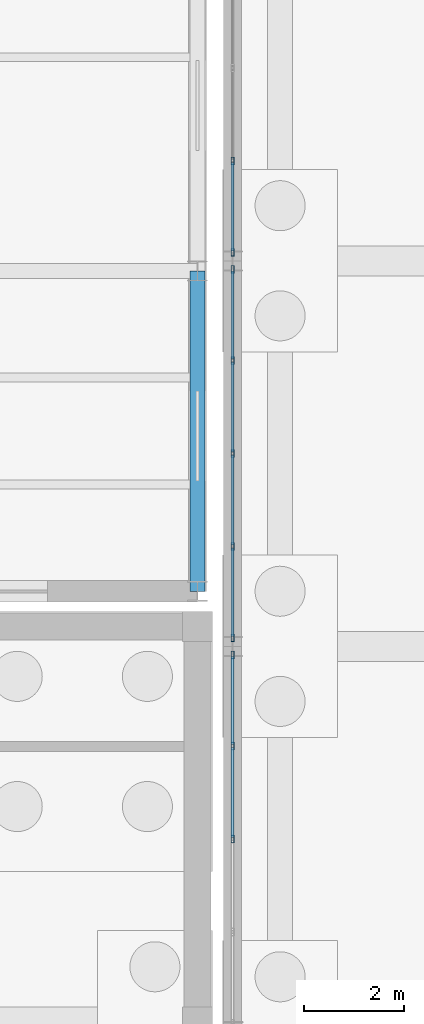
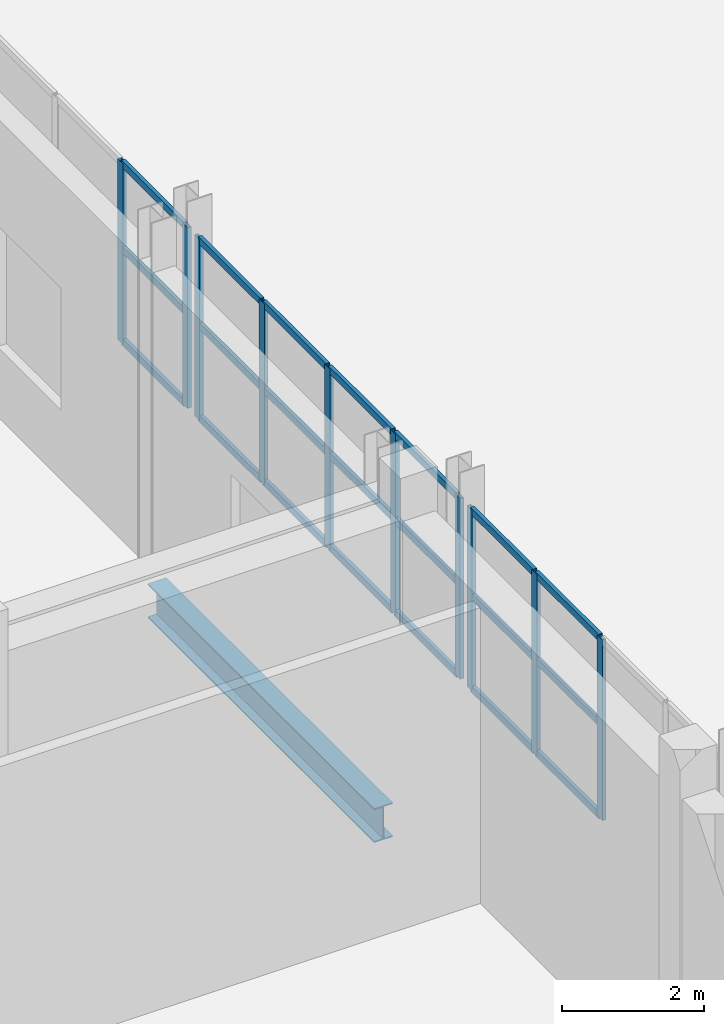
# One storey, part 75 of 139: 31 members, 1 beam, 3 elements without a shape of their own.
"""IFC4 building model written with IfcOpenShell, lengths in metres."""

from ifc_helpers import new_model, si_unit, direction, frame, origin, origin_2d, place, context, subcontext, project, spatial, hollow_rectangle, i_section, extrude, material, material_profile, profile_set, type_object, element, aggregate, save


model = new_model("IFC4")

# Units and contexts
model_context = context("Model", 3, precision=1e-05, world=origin(), true_north=direction((0.0, 1.0)))
body_context = subcontext(model_context, "Body", "Model", "MODEL_VIEW")
ifc_project = project(units=[si_unit("LENGTHUNIT", "METRE"), si_unit("AREAUNIT", "SQUARE_METRE"), si_unit("VOLUMEUNIT", "CUBIC_METRE"), si_unit("PLANEANGLEUNIT", "RADIAN"), si_unit("MASSUNIT", "GRAM", prefix="KILO")], contexts=[model_context])

# Site, building, storey
site_placement = place(None, origin())
site = spatial("IfcSite", under=ifc_project, at=site_placement, CompositionType="ELEMENT")
building_placement = place(site_placement, origin())
building = spatial("IfcBuilding", under=site, at=building_placement, Name="Kazenagashi Tramway Depot", CompositionType="ELEMENT")
storey_placement = place(building_placement, origin())
storey = spatial("IfcBuildingStorey", under=building, at=storey_placement, Name="L01", CompositionType="ELEMENT", Elevation=0.0)

# Curtain wall, members
ifc_material_1 = material(Name="Anodised Aluminium and Low-E Glazing", Category="aluminium")
curtain_wall_type = type_object("IfcCurtainWallType", Name="CW-30", PredefinedType="USERDEFINED", material=ifc_material_1)
curtain_wall_1_placement = place(storey_placement, origin())
curtain_wall_1 = element("IfcCurtainWall", 1, at=curtain_wall_1_placement, inside=storey, type_object=curtain_wall_type, Name="Industrial Glazed Screen CW-30 CW-0159", ObjectType="GLAZED SCREEN", PredefinedType="USERDEFINED")
ifc_material_2 = material(Name="Anodised Aluminium", Category="aluminium")
ifc_material_profile_1 = material_profile(ifc_material_2, hollow_rectangle(XDim=0.06, YDim=0.15, WallThickness=0.004, at=origin_2d()), Name="RHS-150x60x4")
ifc_profile_set_1 = profile_set([ifc_material_profile_1], Name="Anodised Aluminium")
member_type_1 = type_object("IfcMemberType", Name="ML-01", PredefinedType="MULLION", material=ifc_profile_set_1)
member_1_placement = place(storey_placement, frame((146.3, 11.55, 2.2), z_axis=(0.0, 0.0, 1.0), x_axis=(-1.0, 0.0, 0.0)))
member_1 = element("IfcMember", 2, at=member_1_placement, type_object=member_type_1, Name="CW-30 mullion 3", PredefinedType="MULLION", context=body_context, shape_type="SweptSolid", body=[
    extrude(hollow_rectangle(XDim=0.06, YDim=0.15, WallThickness=0.004, at=origin_2d()), origin(), (0.0, 0.0, 1.0), 3.12),
])
member_2_placement = place(storey_placement, frame((146.3, 13.405, 2.2), z_axis=(0.0, 0.0, 1.0), x_axis=(-1.0, 0.0, 0.0)))
member_2 = element("IfcMember", 3, at=member_2_placement, type_object=member_type_1, Name="CW-30 mullion 4", PredefinedType="MULLION", context=body_context, shape_type="SweptSolid", body=[
    extrude(hollow_rectangle(XDim=0.06, YDim=0.15, WallThickness=0.004, at=origin_2d()), origin(), (0.0, 0.0, 1.0), 3.12),
])
member_3_placement = place(storey_placement, frame((146.3, 15.23, 2.2), z_axis=(0.0, 0.0, 1.0), x_axis=(-1.0, 0.0, 0.0)))
member_3 = element("IfcMember", 4, at=member_3_placement, type_object=member_type_1, Name="CW-30 mullion 5", PredefinedType="MULLION", context=body_context, shape_type="SweptSolid", body=[
    extrude(hollow_rectangle(XDim=0.06, YDim=0.15, WallThickness=0.004, at=origin_2d()), origin(), (0.0, 0.0, 1.0), 3.12),
])

curtain_wall_2_placement = place(storey_placement, origin())
curtain_wall_2 = element("IfcCurtainWall", 5, at=curtain_wall_2_placement, inside=storey, type_object=curtain_wall_type, Name="Industrial Glazed Screen CW-30 CW-0161", ObjectType="GLAZED SCREEN", PredefinedType="USERDEFINED")
member_4_placement = place(storey_placement, frame((146.3, 15.57, 2.2), z_axis=(0.0, 0.0, 1.0), x_axis=(-1.0, 0.0, 0.0)))
member_4 = element("IfcMember", 6, at=member_4_placement, type_object=member_type_1, Name="CW-30 mullion 1", PredefinedType="MULLION", context=body_context, shape_type="SweptSolid", body=[
    extrude(hollow_rectangle(XDim=0.06, YDim=0.15, WallThickness=0.004, at=origin_2d()), origin(), (0.0, 0.0, 1.0), 3.12),
])
member_5_placement = place(storey_placement, frame((146.3, 17.395, 2.2), z_axis=(0.0, 0.0, 1.0), x_axis=(-1.0, 0.0, 0.0)))
member_5 = element("IfcMember", 7, at=member_5_placement, type_object=member_type_1, Name="CW-30 mullion 2", PredefinedType="MULLION", context=body_context, shape_type="SweptSolid", body=[
    extrude(hollow_rectangle(XDim=0.06, YDim=0.15, WallThickness=0.004, at=origin_2d()), origin(), (0.0, 0.0, 1.0), 3.12),
])
member_6_placement = place(storey_placement, frame((146.3, 19.25, 2.2), z_axis=(0.0, 0.0, 1.0), x_axis=(-1.0, 0.0, 0.0)))
member_6 = element("IfcMember", 8, at=member_6_placement, type_object=member_type_1, Name="CW-30 mullion 3", PredefinedType="MULLION", context=body_context, shape_type="SweptSolid", body=[
    extrude(hollow_rectangle(XDim=0.06, YDim=0.15, WallThickness=0.004, at=origin_2d()), origin(), (0.0, 0.0, 1.0), 3.12),
])
member_7_placement = place(storey_placement, frame((146.3, 21.105, 2.2), z_axis=(0.0, 0.0, 1.0), x_axis=(-1.0, 0.0, 0.0)))
member_7 = element("IfcMember", 9, at=member_7_placement, type_object=member_type_1, Name="CW-30 mullion 4", PredefinedType="MULLION", context=body_context, shape_type="SweptSolid", body=[
    extrude(hollow_rectangle(XDim=0.06, YDim=0.15, WallThickness=0.004, at=origin_2d()), origin(), (0.0, 0.0, 1.0), 3.12),
])
member_8_placement = place(storey_placement, frame((146.3, 22.93, 2.2), z_axis=(0.0, 0.0, 1.0), x_axis=(-1.0, 0.0, 0.0)))
member_8 = element("IfcMember", 10, at=member_8_placement, type_object=member_type_1, Name="CW-30 mullion 5", PredefinedType="MULLION", context=body_context, shape_type="SweptSolid", body=[
    extrude(hollow_rectangle(XDim=0.06, YDim=0.15, WallThickness=0.004, at=origin_2d()), origin(), (0.0, 0.0, 1.0), 3.12),
])

curtain_wall_3_placement = place(storey_placement, origin())
curtain_wall_3 = element("IfcCurtainWall", 11, at=curtain_wall_3_placement, inside=storey, type_object=curtain_wall_type, Name="Industrial Glazed Screen CW-30 CW-0162", ObjectType="GLAZED SCREEN", PredefinedType="USERDEFINED")
member_9_placement = place(storey_placement, frame((146.3, 23.27, 2.2), z_axis=(0.0, 0.0, 1.0), x_axis=(-1.0, 0.0, 0.0)))
member_9 = element("IfcMember", 12, at=member_9_placement, type_object=member_type_1, Name="CW-30 mullion 1", PredefinedType="MULLION", context=body_context, shape_type="SweptSolid", body=[
    extrude(hollow_rectangle(XDim=0.06, YDim=0.15, WallThickness=0.004, at=origin_2d()), origin(), (0.0, 0.0, 1.0), 3.12),
])
member_10_placement = place(storey_placement, frame((146.3, 25.095, 2.2), z_axis=(0.0, 0.0, 1.0), x_axis=(-1.0, 0.0, 0.0)))
member_10 = element("IfcMember", 13, at=member_10_placement, type_object=member_type_1, Name="CW-30 mullion 2", PredefinedType="MULLION", context=body_context, shape_type="SweptSolid", body=[
    extrude(hollow_rectangle(XDim=0.06, YDim=0.15, WallThickness=0.004, at=origin_2d()), origin(), (0.0, 0.0, 1.0), 3.12),
])

# Beam
ifc_material_3 = material(Name="Steel SN490B", Category="steel")
ifc_material_profile_2 = material_profile(ifc_material_3, i_section(OverallWidth=0.3, OverallDepth=0.588, WebThickness=0.012, FlangeThickness=0.02, at=origin_2d()), Name="H-588x300x12x20")
ifc_profile_set_2 = profile_set([ifc_material_profile_2], Name="Steel SN490B")
beam_type = type_object("IfcBeamType", Name="SP-01", PredefinedType="SPANDREL", material=ifc_profile_set_2)
beam_placement = place(storey_placement, frame((145.6, 16.5, -0.644), z_axis=(0.0, 1.0, 0.0), x_axis=(-1.0, 0.0, 0.0)))
element("IfcBeam", 14, at=beam_placement, inside=storey, type_object=beam_type, Name="Beam SP-01 BM-0942", PredefinedType="SPANDREL", context=body_context, shape_type="SweptSolid", body=[
    extrude(i_section(OverallWidth=0.3, OverallDepth=0.588, WebThickness=0.012, FlangeThickness=0.02, at=origin_2d()), origin(), (0.0, 0.0, 1.0), 6.4),
])

# Member
ifc_material_profile_3 = material_profile(ifc_material_2, hollow_rectangle(XDim=0.06, YDim=0.12, WallThickness=0.004, at=origin_2d()), Name="RHS-120x60x4")
ifc_profile_set_3 = profile_set([ifc_material_profile_3], Name="Anodised Aluminium")
member_type_2 = type_object("IfcMemberType", Name="TR-01", PredefinedType="USERDEFINED", material=ifc_profile_set_3)
member_11_placement = place(storey_placement, frame((146.3, 11.58, 2.23), z_axis=(0.0, 1.0, 0.0), x_axis=(-1.0, 0.0, 0.0)))
member_11 = element("IfcMember", 15, at=member_11_placement, type_object=member_type_2, Name="CW-30 transom 3.1", ObjectType="TRANSOM", PredefinedType="USERDEFINED", context=body_context, shape_type="SweptSolid", body=[
    extrude(hollow_rectangle(XDim=0.06, YDim=0.12, WallThickness=0.004, at=origin_2d()), origin(), (0.0, 0.0, 1.0), 1.795),
])

member_12_placement = place(storey_placement, frame((146.3, 11.58, 3.822), z_axis=(0.0, 1.0, 0.0), x_axis=(-1.0, 0.0, 0.0)))
member_12 = element("IfcMember", 16, at=member_12_placement, type_object=member_type_2, Name="CW-30 transom 3.2", ObjectType="TRANSOM", PredefinedType="USERDEFINED", context=body_context, shape_type="SweptSolid", body=[
    extrude(hollow_rectangle(XDim=0.06, YDim=0.12, WallThickness=0.004, at=origin_2d()), origin(), (0.0, 0.0, 1.0), 1.795),
])

member_13_placement = place(storey_placement, frame((146.3, 11.58, 5.29), z_axis=(0.0, 1.0, 0.0), x_axis=(-1.0, 0.0, 0.0)))
member_13 = element("IfcMember", 17, at=member_13_placement, type_object=member_type_2, Name="CW-30 transom 3.3", ObjectType="TRANSOM", PredefinedType="USERDEFINED", context=body_context, shape_type="SweptSolid", body=[
    extrude(hollow_rectangle(XDim=0.06, YDim=0.12, WallThickness=0.004, at=origin_2d()), origin(), (0.0, 0.0, 1.0), 1.795),
])

member_14_placement = place(storey_placement, frame((146.3, 13.435, 2.23), z_axis=(0.0, 1.0, 0.0), x_axis=(-1.0, 0.0, 0.0)))
member_14 = element("IfcMember", 18, at=member_14_placement, type_object=member_type_2, Name="CW-30 transom 4.1", ObjectType="TRANSOM", PredefinedType="USERDEFINED", context=body_context, shape_type="SweptSolid", body=[
    extrude(hollow_rectangle(XDim=0.06, YDim=0.12, WallThickness=0.004, at=origin_2d()), origin(), (0.0, 0.0, 1.0), 1.765),
])

member_15_placement = place(storey_placement, frame((146.3, 13.435, 3.822), z_axis=(0.0, 1.0, 0.0), x_axis=(-1.0, 0.0, 0.0)))
member_15 = element("IfcMember", 19, at=member_15_placement, type_object=member_type_2, Name="CW-30 transom 4.2", ObjectType="TRANSOM", PredefinedType="USERDEFINED", context=body_context, shape_type="SweptSolid", body=[
    extrude(hollow_rectangle(XDim=0.06, YDim=0.12, WallThickness=0.004, at=origin_2d()), origin(), (0.0, 0.0, 1.0), 1.765),
])

member_16_placement = place(storey_placement, frame((146.3, 13.435, 5.29), z_axis=(0.0, 1.0, 0.0), x_axis=(-1.0, 0.0, 0.0)))
member_16 = element("IfcMember", 20, at=member_16_placement, type_object=member_type_2, Name="CW-30 transom 4.3", ObjectType="TRANSOM", PredefinedType="USERDEFINED", context=body_context, shape_type="SweptSolid", body=[
    extrude(hollow_rectangle(XDim=0.06, YDim=0.12, WallThickness=0.004, at=origin_2d()), origin(), (0.0, 0.0, 1.0), 1.765),
])

aggregate(curtain_wall_1, [member_1, member_2, member_3, member_11, member_12, member_13, member_14, member_15, member_16])

member_17_placement = place(storey_placement, frame((146.3, 15.6, 2.23), z_axis=(0.0, 1.0, 0.0), x_axis=(-1.0, 0.0, 0.0)))
member_17 = element("IfcMember", 21, at=member_17_placement, type_object=member_type_2, Name="CW-30 transom 1.1", ObjectType="TRANSOM", PredefinedType="USERDEFINED", context=body_context, shape_type="SweptSolid", body=[
    extrude(hollow_rectangle(XDim=0.06, YDim=0.12, WallThickness=0.004, at=origin_2d()), origin(), (0.0, 0.0, 1.0), 1.765),
])

member_18_placement = place(storey_placement, frame((146.3, 15.6, 3.822), z_axis=(0.0, 1.0, 0.0), x_axis=(-1.0, 0.0, 0.0)))
member_18 = element("IfcMember", 22, at=member_18_placement, type_object=member_type_2, Name="CW-30 transom 1.2", ObjectType="TRANSOM", PredefinedType="USERDEFINED", context=body_context, shape_type="SweptSolid", body=[
    extrude(hollow_rectangle(XDim=0.06, YDim=0.12, WallThickness=0.004, at=origin_2d()), origin(), (0.0, 0.0, 1.0), 1.765),
])

member_19_placement = place(storey_placement, frame((146.3, 15.6, 5.29), z_axis=(0.0, 1.0, 0.0), x_axis=(-1.0, 0.0, 0.0)))
member_19 = element("IfcMember", 23, at=member_19_placement, type_object=member_type_2, Name="CW-30 transom 1.3", ObjectType="TRANSOM", PredefinedType="USERDEFINED", context=body_context, shape_type="SweptSolid", body=[
    extrude(hollow_rectangle(XDim=0.06, YDim=0.12, WallThickness=0.004, at=origin_2d()), origin(), (0.0, 0.0, 1.0), 1.765),
])

member_20_placement = place(storey_placement, frame((146.3, 17.425, 2.23), z_axis=(0.0, 1.0, 0.0), x_axis=(-1.0, 0.0, 0.0)))
member_20 = element("IfcMember", 24, at=member_20_placement, type_object=member_type_2, Name="CW-30 transom 2.1", ObjectType="TRANSOM", PredefinedType="USERDEFINED", context=body_context, shape_type="SweptSolid", body=[
    extrude(hollow_rectangle(XDim=0.06, YDim=0.12, WallThickness=0.004, at=origin_2d()), origin(), (0.0, 0.0, 1.0), 1.795),
])

member_21_placement = place(storey_placement, frame((146.3, 17.425, 3.822), z_axis=(0.0, 1.0, 0.0), x_axis=(-1.0, 0.0, 0.0)))
member_21 = element("IfcMember", 25, at=member_21_placement, type_object=member_type_2, Name="CW-30 transom 2.2", ObjectType="TRANSOM", PredefinedType="USERDEFINED", context=body_context, shape_type="SweptSolid", body=[
    extrude(hollow_rectangle(XDim=0.06, YDim=0.12, WallThickness=0.004, at=origin_2d()), origin(), (0.0, 0.0, 1.0), 1.795),
])

member_22_placement = place(storey_placement, frame((146.3, 17.425, 5.29), z_axis=(0.0, 1.0, 0.0), x_axis=(-1.0, 0.0, 0.0)))
member_22 = element("IfcMember", 26, at=member_22_placement, type_object=member_type_2, Name="CW-30 transom 2.3", ObjectType="TRANSOM", PredefinedType="USERDEFINED", context=body_context, shape_type="SweptSolid", body=[
    extrude(hollow_rectangle(XDim=0.06, YDim=0.12, WallThickness=0.004, at=origin_2d()), origin(), (0.0, 0.0, 1.0), 1.795),
])

member_23_placement = place(storey_placement, frame((146.3, 19.28, 2.23), z_axis=(0.0, 1.0, 0.0), x_axis=(-1.0, 0.0, 0.0)))
member_23 = element("IfcMember", 27, at=member_23_placement, type_object=member_type_2, Name="CW-30 transom 3.1", ObjectType="TRANSOM", PredefinedType="USERDEFINED", context=body_context, shape_type="SweptSolid", body=[
    extrude(hollow_rectangle(XDim=0.06, YDim=0.12, WallThickness=0.004, at=origin_2d()), origin(), (0.0, 0.0, 1.0), 1.795),
])

member_24_placement = place(storey_placement, frame((146.3, 19.28, 3.822), z_axis=(0.0, 1.0, 0.0), x_axis=(-1.0, 0.0, 0.0)))
member_24 = element("IfcMember", 28, at=member_24_placement, type_object=member_type_2, Name="CW-30 transom 3.2", ObjectType="TRANSOM", PredefinedType="USERDEFINED", context=body_context, shape_type="SweptSolid", body=[
    extrude(hollow_rectangle(XDim=0.06, YDim=0.12, WallThickness=0.004, at=origin_2d()), origin(), (0.0, 0.0, 1.0), 1.795),
])

member_25_placement = place(storey_placement, frame((146.3, 19.28, 5.29), z_axis=(0.0, 1.0, 0.0), x_axis=(-1.0, 0.0, 0.0)))
member_25 = element("IfcMember", 29, at=member_25_placement, type_object=member_type_2, Name="CW-30 transom 3.3", ObjectType="TRANSOM", PredefinedType="USERDEFINED", context=body_context, shape_type="SweptSolid", body=[
    extrude(hollow_rectangle(XDim=0.06, YDim=0.12, WallThickness=0.004, at=origin_2d()), origin(), (0.0, 0.0, 1.0), 1.795),
])

member_26_placement = place(storey_placement, frame((146.3, 21.135, 2.23), z_axis=(0.0, 1.0, 0.0), x_axis=(-1.0, 0.0, 0.0)))
member_26 = element("IfcMember", 30, at=member_26_placement, type_object=member_type_2, Name="CW-30 transom 4.1", ObjectType="TRANSOM", PredefinedType="USERDEFINED", context=body_context, shape_type="SweptSolid", body=[
    extrude(hollow_rectangle(XDim=0.06, YDim=0.12, WallThickness=0.004, at=origin_2d()), origin(), (0.0, 0.0, 1.0), 1.765),
])

member_27_placement = place(storey_placement, frame((146.3, 21.135, 3.822), z_axis=(0.0, 1.0, 0.0), x_axis=(-1.0, 0.0, 0.0)))
member_27 = element("IfcMember", 31, at=member_27_placement, type_object=member_type_2, Name="CW-30 transom 4.2", ObjectType="TRANSOM", PredefinedType="USERDEFINED", context=body_context, shape_type="SweptSolid", body=[
    extrude(hollow_rectangle(XDim=0.06, YDim=0.12, WallThickness=0.004, at=origin_2d()), origin(), (0.0, 0.0, 1.0), 1.765),
])

member_28_placement = place(storey_placement, frame((146.3, 21.135, 5.29), z_axis=(0.0, 1.0, 0.0), x_axis=(-1.0, 0.0, 0.0)))
member_28 = element("IfcMember", 32, at=member_28_placement, type_object=member_type_2, Name="CW-30 transom 4.3", ObjectType="TRANSOM", PredefinedType="USERDEFINED", context=body_context, shape_type="SweptSolid", body=[
    extrude(hollow_rectangle(XDim=0.06, YDim=0.12, WallThickness=0.004, at=origin_2d()), origin(), (0.0, 0.0, 1.0), 1.765),
])

aggregate(curtain_wall_2, [member_4, member_5, member_6, member_7, member_8, member_17, member_18, member_19, member_20, member_21, member_22, member_23, member_24, member_25, member_26, member_27, member_28])

member_29_placement = place(storey_placement, frame((146.3, 23.3, 2.23), z_axis=(0.0, 1.0, 0.0), x_axis=(-1.0, 0.0, 0.0)))
member_29 = element("IfcMember", 33, at=member_29_placement, type_object=member_type_2, Name="CW-30 transom 1.1", ObjectType="TRANSOM", PredefinedType="USERDEFINED", context=body_context, shape_type="SweptSolid", body=[
    extrude(hollow_rectangle(XDim=0.06, YDim=0.12, WallThickness=0.004, at=origin_2d()), origin(), (0.0, 0.0, 1.0), 1.765),
])

member_30_placement = place(storey_placement, frame((146.3, 23.3, 3.822), z_axis=(0.0, 1.0, 0.0), x_axis=(-1.0, 0.0, 0.0)))
member_30 = element("IfcMember", 34, at=member_30_placement, type_object=member_type_2, Name="CW-30 transom 1.2", ObjectType="TRANSOM", PredefinedType="USERDEFINED", context=body_context, shape_type="SweptSolid", body=[
    extrude(hollow_rectangle(XDim=0.06, YDim=0.12, WallThickness=0.004, at=origin_2d()), origin(), (0.0, 0.0, 1.0), 1.765),
])

member_31_placement = place(storey_placement, frame((146.3, 23.3, 5.29), z_axis=(0.0, 1.0, 0.0), x_axis=(-1.0, 0.0, 0.0)))
member_31 = element("IfcMember", 35, at=member_31_placement, type_object=member_type_2, Name="CW-30 transom 1.3", ObjectType="TRANSOM", PredefinedType="USERDEFINED", context=body_context, shape_type="SweptSolid", body=[
    extrude(hollow_rectangle(XDim=0.06, YDim=0.12, WallThickness=0.004, at=origin_2d()), origin(), (0.0, 0.0, 1.0), 1.765),
])

aggregate(curtain_wall_3, [member_9, member_10, member_29, member_30, member_31])

save(model, "model.ifc")
